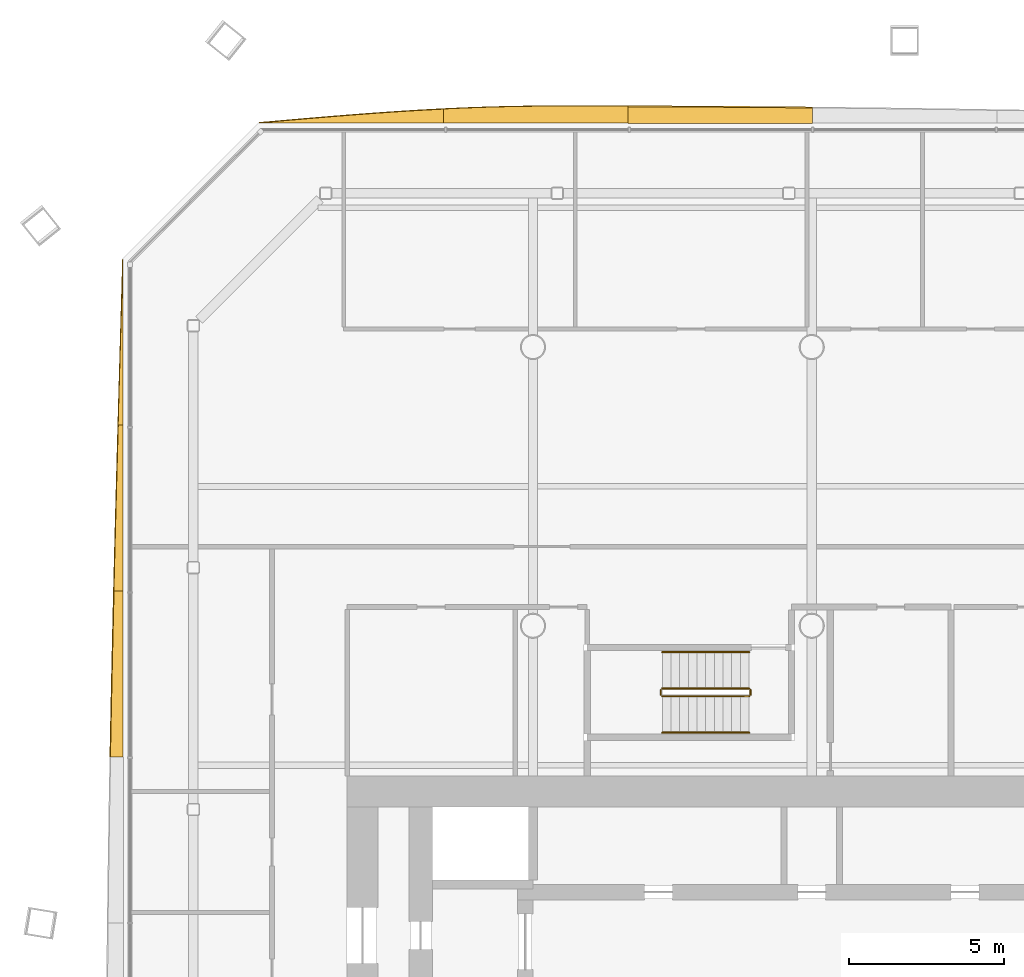
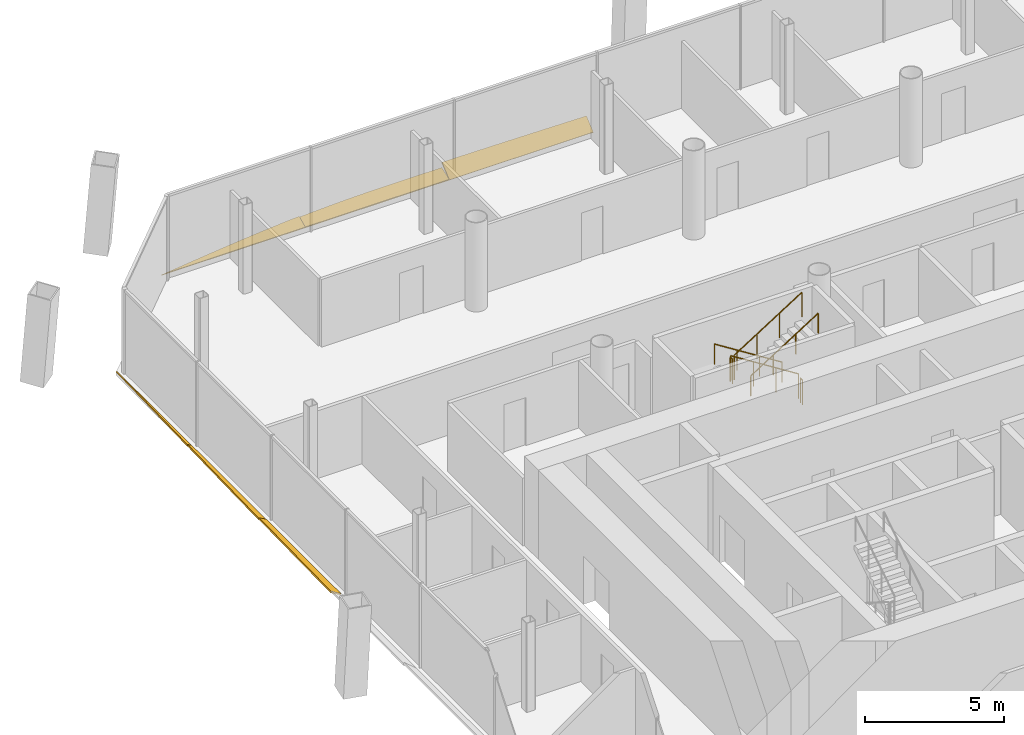
# One storey, part 18 of 19: 6 railings, 6 shading devices.
"""IFC4 building model written with IfcOpenShell, lengths in metres."""

import ifcopenshell
import ifcopenshell.guid

model = None  # the IFC model being written
_history = None  # IfcOwnerHistory: only IFC2X3 demands one
_inside = {}  # id of a spatial element -> (the spatial element, [elements in it])
_under = {}  # id of a project, library or spatial element -> (it, [spatial elements below it])
_declared = {}  # id of a project -> (the project, [libraries it declares])
_typed = {}  # id of a type object -> (the type object, [elements of that type])
_made_of = {}  # id of a material, layer set ... -> (it, [elements and type objects made of it])


def new_model(schema):
    """Start an empty IFC model of exactly this schema.

    Asked for "IFC4X3", IfcOpenShell would pick the latest addendum, in which some entities
    have other attributes; the version numbers below select the first issue.
    IFC2X3 requires an IfcOwnerHistory on every rooted entity: one is made here for all.
    """
    global model, _history
    if schema == "IFC4X3":
        model = ifcopenshell.file(schema_version=(4, 3, 0, 0))
    else:
        model = ifcopenshell.file(schema=schema)
    _inside.clear()
    _under.clear()
    _declared.clear()
    _typed.clear()
    _made_of.clear()
    _history = None
    if model.schema == "IFC2X3":
        org = make("IfcOrganization", Name="unknown")
        user = make(
            "IfcPersonAndOrganization",
            ThePerson=make("IfcPerson", FamilyName="unknown"),
            TheOrganization=org,
        )
        app = make(
            "IfcApplication",
            ApplicationDeveloper=org,
            Version="unknown",
            ApplicationFullName="unknown",
            ApplicationIdentifier="unknown",
        )
        _history = make(
            "IfcOwnerHistory",
            OwningUser=user,
            OwningApplication=app,
            ChangeAction="ADDED",
            CreationDate=0,
        )
    return model


def make(cls, **values):
    """One entity of the class cls with the attributes given. An attribute that is None is left unset."""
    return model.create_entity(
        cls, **{name: value for name, value in values.items() if value is not None}
    )


def rooted(cls, **values):
    """An entity with a GlobalId (a new one), such as an element, a storey or a relation."""
    return make(cls, GlobalId=ifcopenshell.guid.new(), OwnerHistory=_history, **values)


def si_unit(unit_type, name, prefix=None):
    """IfcSIUnit, for example si_unit("LENGTHUNIT", "METRE", prefix="MILLI")."""
    return make("IfcSIUnit", UnitType=unit_type, Prefix=prefix, Name=name)


def assignment(units):
    """IfcUnitAssignment: the units of a project."""
    return None if units is None else make("IfcUnitAssignment", Units=units)


def point(xyz):
    """IfcCartesianPoint."""
    return None if xyz is None else make("IfcCartesianPoint", Coordinates=xyz)


def direction(xyz):
    """IfcDirection."""
    return None if xyz is None else make("IfcDirection", DirectionRatios=xyz)


def frame(location, z_axis=None, x_axis=None):
    """IfcAxis2Placement3D, a coordinate frame: its origin and axes. An axis left out is left unset."""
    return make(
        "IfcAxis2Placement3D",
        Location=point(location),
        Axis=direction(z_axis),
        RefDirection=direction(x_axis),
    )


def frame_2d(location, x_axis=None):
    """IfcAxis2Placement2D, a coordinate frame in the plane: its origin and x axis."""
    return make(
        "IfcAxis2Placement2D", Location=point(location), RefDirection=direction(x_axis)
    )


def origin():
    """The frame at (0, 0, 0) with its axes left unset."""
    return frame((0.0, 0.0, 0.0))


def origin_2d():
    """The frame at (0, 0) in the plane with its x axis left unset."""
    return frame_2d((0.0, 0.0))


def place(relative_to, where):
    """IfcLocalPlacement: puts the frame where relative to a parent placement (None: the world)."""
    return make(
        "IfcLocalPlacement", PlacementRelTo=relative_to, RelativePlacement=where
    )


def context(
    kind, dimensions, precision=None, world=None, true_north=None, identifier=None
):
    """IfcGeometricRepresentationContext, for example the 3D "Model" context."""
    return make(
        "IfcGeometricRepresentationContext",
        ContextIdentifier=identifier,
        ContextType=kind,
        CoordinateSpaceDimension=dimensions,
        Precision=precision,
        WorldCoordinateSystem=world,
        TrueNorth=true_north,
    )


def subcontext(parent, identifier, kind, view, scale=None):
    """IfcGeometricRepresentationSubContext, for example "Body" below "Model"."""
    return make(
        "IfcGeometricRepresentationSubContext",
        ContextIdentifier=identifier,
        ContextType=kind,
        ParentContext=parent,
        TargetScale=scale,
        TargetView=view,
    )


def project(units=None, contexts=None):
    """IfcProject with its units and contexts."""
    return rooted(
        "IfcProject",
        Name="project",
        RepresentationContexts=contexts,
        UnitsInContext=assignment(units),
    )


def spatial(cls, under=None, at=None, **own):
    """A site, building, storey or space (cls), placed at a placement, below another one or the project."""
    s = rooted(cls, ObjectPlacement=at, **own)
    if under is not None:
        _under.setdefault(under.id(), (under, []))[1].append(s)
    return s


def polyline(points):
    """IfcPolyline through the points."""
    return make("IfcPolyline", Points=[point(p) for p in points])


def profile(cls, at=None, kind="AREA", **sizes):
    """A parametric profile (cls). Its sizes go by their IFC names, for example OverallWidth=200.0."""
    return make(cls, ProfileType=kind, Position=at, **sizes)


def circle(**sizes):
    """IfcCircleProfileDef."""
    return profile("IfcCircleProfileDef", **sizes)


def outline(outer, holes=None, kind="AREA"):
    """IfcArbitraryClosedProfileDef: a profile drawn as a closed curve; with holes, ...WithVoids."""
    if holes is None:
        return make("IfcArbitraryClosedProfileDef", ProfileType=kind, OuterCurve=outer)
    return make(
        "IfcArbitraryProfileDefWithVoids",
        ProfileType=kind,
        OuterCurve=outer,
        InnerCurves=holes,
    )


def extrude(swept, where, along, depth):
    """IfcExtrudedAreaSolid: the profile swept, set in the frame where, extruded along a direction by depth."""
    return make(
        "IfcExtrudedAreaSolid",
        SweptArea=swept,
        Position=where,
        ExtrudedDirection=direction(along),
        Depth=depth,
    )


def shape(context_of_items, identifier, shape_type, items):
    """IfcShapeRepresentation: the items that make up one representation, for example the "Body"."""
    return make(
        "IfcShapeRepresentation",
        ContextOfItems=context_of_items,
        RepresentationIdentifier=identifier,
        RepresentationType=shape_type,
        Items=items,
    )


def material(Name=None, Category=None):
    """IfcMaterial."""
    return make("IfcMaterial", Name=Name, Category=Category)


def layer(
    of_material, thickness, ventilated=None, Name=None, Category=None, Priority=None
):
    """IfcMaterialLayer: one layer of a wall or slab, of a material (None: an air gap)."""
    return make(
        "IfcMaterialLayer",
        Material=of_material,
        LayerThickness=thickness,
        IsVentilated=ventilated,
        Name=Name,
        Category=Category,
        Priority=Priority,
    )


def layer_set(layers, Name=None):
    """IfcMaterialLayerSet."""
    return make("IfcMaterialLayerSet", MaterialLayers=layers, LayerSetName=Name)


def made_of(thing, what):
    """Note that an element or type object is made of a material, layer set ...; save() writes the relation."""
    if what is not None:
        _made_of.setdefault(what.id(), (what, []))[1].append(thing)
    return thing


def type_object(cls, material=None, **own):
    """A type object (cls), such as IfcWallType, which elements share."""
    return made_of(rooted(cls, **own), material)


def element(
    cls,
    number,
    at=None,
    inside=None,
    cuts=None,
    type_object=None,
    material=None,
    context=None,
    identifier="Body",
    shape_type=None,
    held_by="IfcProductDefinitionShape",
    body=None,
    shapes=None,
    **own,
):
    """One element of the class cls, such as IfcWall. Its Tag is "e" and its number.

    at: its placement. inside: the storey or other place that contains it. cuts: it is an
    opening in that element (IfcRelVoidsElement). A single representation is given by context,
    identifier, shape_type and body (its items); several are given by shapes. held_by: the class
    of the entity that holds the representations. save() writes the other relations.
    """
    e = rooted(cls, Tag="e%d" % number, ObjectPlacement=at, **own)
    if body is not None:
        shapes = [shape(context, identifier, shape_type, body)]
    if shapes is not None:
        e.Representation = make(held_by, Representations=shapes)
    if inside is not None:
        _inside.setdefault(inside.id(), (inside, []))[1].append(e)
    if cuts is not None:
        rooted(
            "IfcRelVoidsElement", RelatingBuildingElement=cuts, RelatedOpeningElement=e
        )
    if type_object is not None:
        _typed.setdefault(type_object.id(), (type_object, []))[1].append(e)
    return made_of(e, material)


def aggregate(whole, parts):
    """IfcRelAggregates: a whole, such as a stair, and the parts it consists of."""
    return rooted("IfcRelAggregates", RelatingObject=whole, RelatedObjects=parts)


def save(model, path):
    """Write the relations noted so far, then the file.

    IfcRelAggregates (storeys below a building ...), IfcRelContainedInSpatialStructure (elements
    in a storey), IfcRelDefinesByType, IfcRelAssociatesMaterial and IfcRelDeclares: one each for
    every whole, place, type object, material and project.
    """
    for whole, parts in _under.values():
        aggregate(whole, parts)
    for where, things in _inside.values():
        rooted(
            "IfcRelContainedInSpatialStructure",
            RelatedElements=things,
            RelatingStructure=where,
        )
    for kind, things in _typed.values():
        rooted("IfcRelDefinesByType", RelatedObjects=things, RelatingType=kind)
    for what, things in _made_of.values():
        rooted("IfcRelAssociatesMaterial", RelatedObjects=things, RelatingMaterial=what)
    for by, libraries in _declared.values():
        rooted("IfcRelDeclares", RelatingContext=by, RelatedDefinitions=libraries)
    model.write(path)


model = new_model("IFC4")

# Units and contexts
model_context = context("Model", 3, precision=1e-05, world=origin(), true_north=direction((0.0, 1.0)))
body_context = subcontext(model_context, "Body", "Model", "MODEL_VIEW")
ifc_project = project(units=[si_unit("LENGTHUNIT", "METRE"), si_unit("AREAUNIT", "SQUARE_METRE"), si_unit("VOLUMEUNIT", "CUBIC_METRE"), si_unit("PLANEANGLEUNIT", "RADIAN"), si_unit("MASSUNIT", "GRAM", prefix="KILO")], contexts=[model_context])

# Site, building, storey
site_placement = place(None, origin())
site = spatial("IfcSite", under=ifc_project, at=site_placement, CompositionType="ELEMENT")
building_placement = place(site_placement, origin())
building = spatial("IfcBuilding", under=site, at=building_placement, Name="Tskaro Facet Tower", CompositionType="ELEMENT")
storey_placement = place(building_placement, frame((0.0, 0.0, 77.699951171875)))
storey = spatial("IfcBuildingStorey", under=building, at=storey_placement, Name="L18", CompositionType="ELEMENT", Elevation=77.699951171875)

# Shading devices
ifc_material_1 = material(Name="Bronze anodised aluminium 6063-T6", Category="aluminium")
ifc_layer = layer(ifc_material_1, 0.06005859375, Name="Bronze anodised aluminium 6063-T6")
ifc_layer_set = layer_set([ifc_layer], Name="Bronze anodised aluminium 6063-T6")
shading_device_type = type_object("IfcShadingDeviceType", Name="Bronze sun blade (FN1)", PredefinedType="USERDEFINED", material=ifc_layer_set)
shading_device_1_placement = place(storey_placement, frame((0.021728515625, 25.222412109375, 0.0458984375), z_axis=(5.0782e-06, -0.642855210938, 0.765987713834), x_axis=(-0.999999999987, -3.264547e-06, 3.889839e-06)))
element("IfcShadingDevice", 1, at=shading_device_1_placement, inside=storey, type_object=shading_device_type, Name="Fin blade north 5", ObjectType="FIN", PredefinedType="USERDEFINED", context=body_context, shape_type="SweptSolid", body=[
    extrude(outline(polyline([(0.0, 0.0), (5.9565429686731965, 2.522694073133596e-21), (5.956542968374466, -0.6992366912902277), (5.211914062506812, -0.6961110275143475), (4.4675292966535185, -0.6916095405697273), (3.722900390819578, -0.686577089113722), (2.9782714843750013, -0.6801688144889766), (2.2336425785747744, -0.6732295753528461), (1.489257812144558, -0.6654454775593607), (0.7446289063780441, -0.656599450743105), (-6.434554401302017e-10, -0.6469085652694946), (0.0, 0.0)])), origin(), (0.0, 0.0, -1.0), 0.06005859375),
])
shading_device_2_placement = place(storey_placement, frame((-5.934814453125, 25.240478515625, 0.056396484375), z_axis=(-1.421645e-06, -0.342093018235, 0.939666093287), x_axis=(-0.999999999999, 4.86335e-07, -1.335872e-06)))
element("IfcShadingDevice", 2, at=shading_device_2_placement, inside=storey, type_object=shading_device_type, Name="Fin blade north 6", ObjectType="FIN", PredefinedType="USERDEFINED", context=body_context, shape_type="SweptSolid", body=[
    extrude(outline(polyline([(0.0, 0.0), (5.956542968743981, 3.153367591416995e-22), (5.956542968699038, -0.4752156334882824), (5.212158203034335, -0.510820835073289), (4.467529296770153, -0.538625009803017), (3.722900390531496, -0.5586281576774664), (2.9782714845257683, -0.5705173492260509), (2.3229980468205365, -0.5736878712501302), (2.2336425780706266, -0.5736878712501302), (1.4892578125350513, -0.5731455311122371), (0.7446289064631486, -0.5720608508364506), (-8.36905182606323e-11, -0.5700585278914376), (0.0, 0.0)])), origin(), (0.0, 0.0, -1.0), 0.06005859375),
])
shading_device_3_placement = place(storey_placement, frame((-11.891357421875, 25.235595703125, 0.054443359375), z_axis=(-7.702747e-06, -0.422573285134, 0.906328758582), x_axis=(-0.99999999997, 3.254975e-06, -6.981221e-06)))
element("IfcShadingDevice", 3, at=shading_device_3_placement, inside=storey, type_object=shading_device_type, Name="Fin blade north 7", ObjectType="FIN", PredefinedType="USERDEFINED", context=body_context, shape_type="SweptSolid", body=[
    extrude(outline(polyline([(0.0, 0.0), (5.9565429685732925, 0.0), (5.212158203687089, -0.07241799236058354), (4.467529295906935, -0.14362645906731245), (3.7229003910860787, -0.21277018755724691), (2.9782714835467607, -0.27884598678842), (2.2338867183475575, -0.34077737252830986), (1.489257812764198, -0.3975760907926439), (0.7446289067420588, -0.4484751592667318), (-3.984752770618339e-10, -0.49270759563588323), (0.0, 0.0)])), origin(), (0.0, 0.0, -1.0), 0.06005859375),
])
shading_device_4_placement = place(storey_placement, frame((-22.240478515625, 20.847900390625, 0.056396484375), z_axis=(0.342145053779, -1.351144e-06, 0.939647147696), x_axis=(-4.62287e-07, -0.999999999999, -1.269598e-06)))
element("IfcShadingDevice", 4, at=shading_device_4_placement, inside=storey, type_object=shading_device_type, Name="Fin blade west 1", ObjectType="FIN", PredefinedType="USERDEFINED", context=body_context, shape_type="SweptSolid", body=[
    extrude(outline(polyline([(0.0, 0.0), (5.361328124995106, 2.838263476822576e-22), (5.3613281250050155, -0.16342511553140193), (4.691162109369066, -0.1434219681001376), (4.020996093733116, -0.12341882066887325), (3.3508300781814007, -0.10287332964650234), (2.680664062432588, -0.08264077617331989), (2.0104980468808726, -0.06209528515094896), (1.340332031216294, -0.04132038808665994), (0.6701660156645786, -0.020774897064289023), (0.0, 0.0)])), origin(), (0.0, 0.0, -1.0), 0.06005859375),
])
shading_device_5_placement = place(storey_placement, frame((-22.235595703125, 15.486572265625, 0.054443359375), z_axis=(0.422590008942, -4.713864e-06, 0.906320960985), x_axis=(-1.992032e-06, -0.999999999989, -4.272274e-06)))
element("IfcShadingDevice", 5, at=shading_device_5_placement, inside=storey, type_object=shading_device_type, Name="Fin blade west 2", ObjectType="FIN", PredefinedType="USERDEFINED", context=body_context, shape_type="SweptSolid", body=[
    extrude(outline(polyline([(0.0, 0.0), (5.361328124940434, -1.1353053907290305e-21), (5.361328125275527, -0.32483365820012244), (4.691162108921235, -0.30658900106511505), (4.020996094166677, -0.2879167313864339), (3.3508300778827493, -0.2691263633307878), (2.680664062712221, -0.24968711296560014), (2.0104980470553557, -0.2300265928345445), (1.340332030912155, -0.21014480293762097), (0.6701660153256539, -0.18993857188592667), (2.958525949109011e-10, -0.16940789967946152), (0.0, 0.0)])), origin(), (0.0, 0.0, -1.0), 0.06005859375),
])
shading_device_6_placement = place(storey_placement, frame((-22.23095703125, 10.125244140625, 0.052001953125), z_axis=(0.499882496199, -7.444821e-06, 0.866093233976), x_axis=(-3.721536e-06, -0.999999999972, -6.447909e-06)))
element("IfcShadingDevice", 6, at=shading_device_6_placement, inside=storey, type_object=shading_device_type, Name="Fin blade west 3", ObjectType="FIN", PredefinedType="USERDEFINED", context=body_context, shape_type="SweptSolid", body=[
    extrude(outline(polyline([(0.0, 0.0), (5.361328124851424, 0.0), (5.36132812544343, -0.47437031656350703), (4.691162108908262, -0.45950229500872963), (4.020996093704331, -0.4439672931169344), (3.3508300782574407, -0.42788735251317334), (2.680664060993394, -0.4113845148224983), (2.0104980475433587, -0.3943041037132106), (1.3403320313675895, -0.3765893469735519), (0.6701660158574387, -0.3585411000653843), (1.043284928306992e-10, -0.33994791444525085), (0.0, 0.0)])), origin(), (0.0, 0.0, -1.0), 0.06005859375),
])

# Railings
ifc_material_2 = material(Name="Stainless steel", Category="steel")
railing_type_1 = type_object("IfcRailingType", Name="RL-GUARD-1100", PredefinedType="GUARDRAIL", material=ifc_material_2)
railing_1_placement = place(storey_placement, frame((-2.02490234375, 6.97509765625, 0.17724609375)))
element("IfcRailing", 7, at=railing_1_placement, inside=storey, type_object=railing_type_1, Name="L18 ST-3 stair guard 1", PredefinedType="GUARDRAIL", context=body_context, shape_type="SweptSolid", body=[
    extrude(circle(Radius=0.02392578125, at=origin_2d()), frame((0.0, 0.0, 1.076171875), z_axis=(-0.844908973607, 0.0, 0.534910110503), x_axis=(0.0, -1.0, 0.0)), (0.0, 0.0, 1.0), 3.31396484375),
    extrude(circle(Radius=0.02099609375, at=origin_2d()), origin(), (0.0, 0.0, 1.0), 1.052001953125),
    extrude(circle(Radius=0.02099609375, at=origin_2d()), frame((-0.933349609375, 0.0, 0.5908203125)), (0.0, 0.0, 1.0), 1.052001953125),
    extrude(circle(Radius=0.02099609375, at=origin_2d()), frame((-1.86669921875, 0.0, 1.181884765625)), (0.0, 0.0, 1.0), 1.052001953125),
    extrude(circle(Radius=0.02099609375, at=origin_2d()), frame((-2.800048828125, 0.0, 1.772705078125)), (0.0, 0.0, 1.0), 1.052001953125),
])
railing_2_placement = place(storey_placement, frame((-4.875, 6.925048828125, 1.949951171875)))
element("IfcRailing", 8, at=railing_2_placement, inside=storey, type_object=railing_type_1, Name="L18 ST-3 stair guard 2", PredefinedType="GUARDRAIL", context=body_context, shape_type="SweptSolid", body=[
    extrude(circle(Radius=0.02392578125, at=origin_2d()), frame((0.0, 0.0, 1.076171875), z_axis=(0.0, -1.0, 0.0), x_axis=(1.0, 0.0, 0.0)), (0.0, 0.0, 1.0), 0.150146484375),
    extrude(circle(Radius=0.02099609375, at=origin_2d()), origin(), (0.0, 0.0, 1.0), 1.052001953125),
    extrude(circle(Radius=0.02099609375, at=origin_2d()), frame((0.0, -0.150146484375, 0.0)), (0.0, 0.0, 1.0), 1.052001953125),
])
railing_3_placement = place(storey_placement, frame((-4.824951171875, 6.72509765625, 2.12744140625)))
element("IfcRailing", 9, at=railing_3_placement, inside=storey, type_object=railing_type_1, Name="L18 ST-3 stair guard 3", PredefinedType="GUARDRAIL", context=body_context, shape_type="SweptSolid", body=[
    extrude(circle(Radius=0.02392578125, at=origin_2d()), frame((0.0, 0.0, 1.076171875), z_axis=(0.844908973607, 0.0, 0.534910110503), x_axis=(0.0, 1.0, 0.0)), (0.0, 0.0, 1.0), 3.31396484375),
    extrude(circle(Radius=0.02099609375, at=origin_2d()), origin(), (0.0, 0.0, 1.0), 1.052001953125),
    extrude(circle(Radius=0.02099609375, at=origin_2d()), frame((0.933349609375, 0.0, 0.5908203125)), (0.0, 0.0, 1.0), 1.052001953125),
    extrude(circle(Radius=0.02099609375, at=origin_2d()), frame((1.86669921875, 0.0, 1.181884765625)), (0.0, 0.0, 1.0), 1.052001953125),
    extrude(circle(Radius=0.02099609375, at=origin_2d()), frame((2.800048828125, 0.0, 1.772705078125)), (0.0, 0.0, 1.0), 1.052001953125),
])
railing_4_placement = place(storey_placement, frame((-1.97509765625, 6.925048828125, 0.0)))
element("IfcRailing", 10, at=railing_4_placement, inside=storey, type_object=railing_type_1, Name="L18 ST-3 stair guard 4", PredefinedType="GUARDRAIL", context=body_context, shape_type="SweptSolid", body=[
    extrude(circle(Radius=0.02392578125, at=origin_2d()), frame((0.0, 0.0, 1.076171875), z_axis=(0.0, -1.0, 0.0), x_axis=(1.0, 0.0, 0.0)), (0.0, 0.0, 1.0), 0.150146484375),
    extrude(circle(Radius=0.02099609375, at=origin_2d()), origin(), (0.0, 0.0, 1.0), 1.052001953125),
    extrude(circle(Radius=0.02099609375, at=origin_2d()), frame((0.0, -0.150146484375, 0.0)), (0.0, 0.0, 1.0), 1.052001953125),
])
railing_type_2 = type_object("IfcRailingType", Name="RL-HANDRAIL-900", PredefinedType="HANDRAIL", material=ifc_material_2)
railing_5_placement = place(storey_placement, frame((-2.02490234375, 8.14990234375, 0.17724609375)))
element("IfcRailing", 11, at=railing_5_placement, inside=storey, type_object=railing_type_2, Name="L18 ST-3 stair handrail 1", PredefinedType="HANDRAIL", context=body_context, shape_type="SweptSolid", body=[
    extrude(circle(Radius=0.02392578125, at=origin_2d()), frame((0.0, 0.0, 0.8759765625), z_axis=(-0.844908973607, 0.0, 0.534910110503), x_axis=(0.0, -1.0, 0.0)), (0.0, 0.0, 1.0), 3.31396484375),
    extrude(circle(Radius=0.02099609375, at=origin_2d()), origin(), (0.0, 0.0, 1.0), 0.851806640625),
    extrude(circle(Radius=0.02099609375, at=origin_2d()), frame((-0.933349609375, 0.0, 0.5908203125)), (0.0, 0.0, 1.0), 0.851806640625),
    extrude(circle(Radius=0.02099609375, at=origin_2d()), frame((-1.86669921875, 0.0, 1.181884765625)), (0.0, 0.0, 1.0), 0.851806640625),
    extrude(circle(Radius=0.02099609375, at=origin_2d()), frame((-2.800048828125, 0.0, 1.772705078125)), (0.0, 0.0, 1.0), 0.851806640625),
])
railing_6_placement = place(storey_placement, frame((-4.824951171875, 5.550048828125, 2.12744140625)))
element("IfcRailing", 12, at=railing_6_placement, inside=storey, type_object=railing_type_2, Name="L18 ST-3 stair handrail 2", PredefinedType="HANDRAIL", context=body_context, shape_type="SweptSolid", body=[
    extrude(circle(Radius=0.02392578125, at=origin_2d()), frame((0.0, 0.0, 0.8759765625), z_axis=(0.844908973607, 0.0, 0.534910110503), x_axis=(0.0, 1.0, 0.0)), (0.0, 0.0, 1.0), 3.31396484375),
    extrude(circle(Radius=0.02099609375, at=origin_2d()), origin(), (0.0, 0.0, 1.0), 0.851806640625),
    extrude(circle(Radius=0.02099609375, at=origin_2d()), frame((0.933349609375, 0.0, 0.5908203125)), (0.0, 0.0, 1.0), 0.851806640625),
    extrude(circle(Radius=0.02099609375, at=origin_2d()), frame((1.86669921875, 0.0, 1.181884765625)), (0.0, 0.0, 1.0), 0.851806640625),
    extrude(circle(Radius=0.02099609375, at=origin_2d()), frame((2.800048828125, 0.0, 1.772705078125)), (0.0, 0.0, 1.0), 0.851806640625),
])

save(model, "model.ifc")
